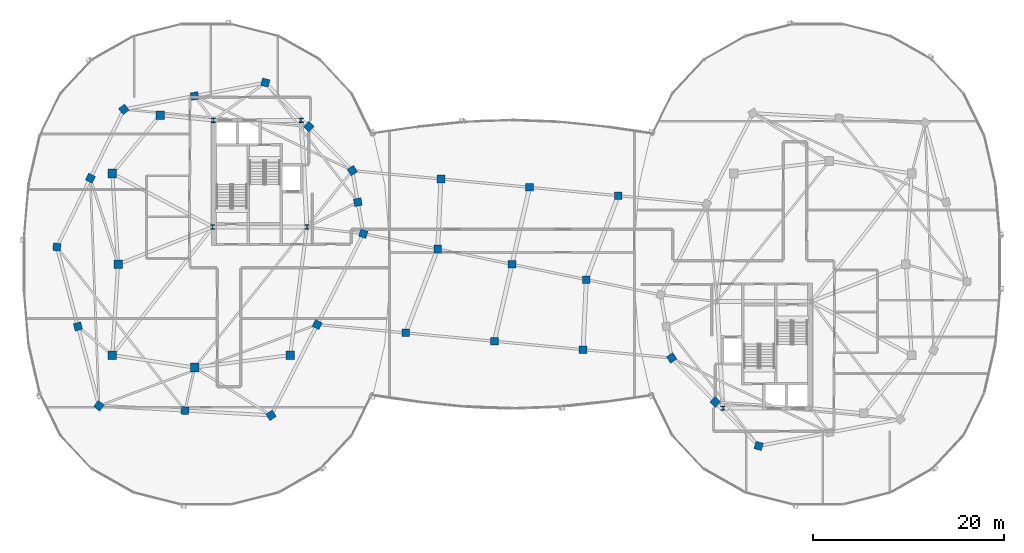
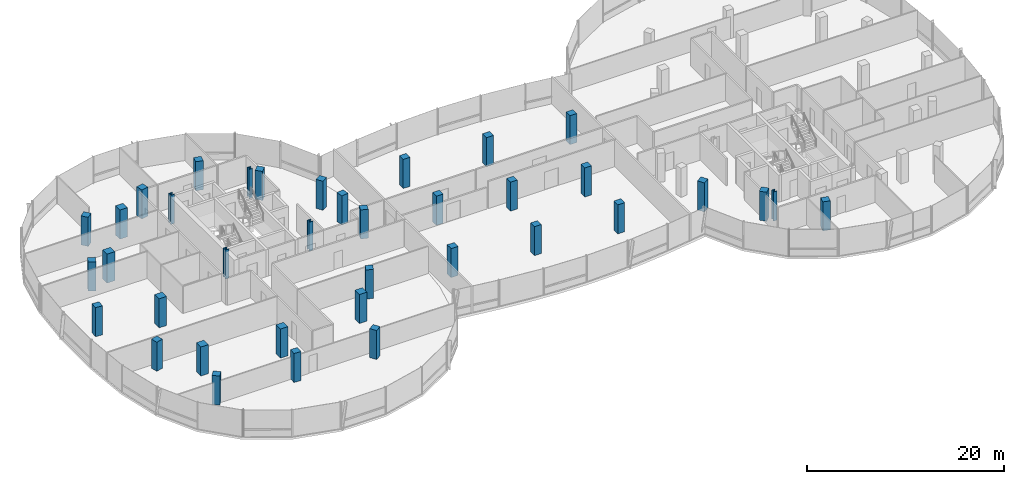
# One storey, part 1 of 26: 37 columns.
"""IFC4 building model written with IfcOpenShell, lengths in metres."""

from ifc_helpers import new_model, si_unit, direction, frame, origin, origin_2d, place, context, subcontext, project, spatial, rectangle, i_section, extrude, material, material_profile, profile_set, type_object, element, save


model = new_model("IFC4")

# Units and contexts
model_context = context("Model", 3, precision=1e-05, world=origin(), true_north=direction((0.0, 1.0)))
body_context = subcontext(model_context, "Body", "Model", "MODEL_VIEW")
ifc_project = project(units=[si_unit("LENGTHUNIT", "METRE"), si_unit("AREAUNIT", "SQUARE_METRE"), si_unit("VOLUMEUNIT", "CUBIC_METRE"), si_unit("PLANEANGLEUNIT", "RADIAN"), si_unit("MASSUNIT", "GRAM", prefix="KILO"), si_unit("THERMODYNAMICTEMPERATUREUNIT", "KELVIN"), si_unit("POWERUNIT", "WATT")], contexts=[model_context])

# Site, building, storey
site_placement = place(None, origin())
site = spatial("IfcSite", under=ifc_project, at=site_placement, CompositionType="ELEMENT")
building_placement = place(site_placement, origin())
building = spatial("IfcBuilding", under=site, at=building_placement, Name="Cundina Bronze Exchange", CompositionType="ELEMENT")
storey_placement = place(building_placement, frame((0.0, 0.0, 261.199951171875)))
storey = spatial("IfcBuildingStorey", under=building, at=storey_placement, Name="L69", CompositionType="ELEMENT", Elevation=261.199951171875)

# Columns
ifc_material_1 = material(Name="Concrete C50/60", Category="concrete")
ifc_material_profile_1 = material_profile(ifc_material_1, rectangle(XDim=0.800048828125, YDim=0.800048828125, at=origin_2d()), Name="RC800X800", Category="concrete")
ifc_profile_set_1 = profile_set([ifc_material_profile_1], Name="Concrete C50/60")
column_type_1 = type_object("IfcColumnType", Name="COL-BRG-800", PredefinedType="COLUMN", material=ifc_profile_set_1)
for number, where, z_axis, x_axis, name in (
    (1, (-15.550048828125, 3.199951171875, 0.0), (0.0, 0.0, 1.0), (0.315152163383, 0.949041155016, 0.0), "L69 W Perimeter Column 00"),
    (2, (-16.125, 6.5, 0.0), (0.0, 0.0, 1.0), (-0.171585221787, 0.985169280715, 0.0), "L69 W Perimeter Column 01"),
    (3, (-16.699951171875, 9.800048828125, 0.0), (0.0, 0.0, 1.0), (-0.544199833495, 0.838955625301, 0.0), "L69 W Perimeter Column 02"),
    (4, (-21.25, 14.39990234375, 0.0), (0.0, 0.0, 1.0), (-0.703270634186, 0.710922228581, 0.0), "L69 W Perimeter Column 03"),
    (5, (-25.800048828125, 19.0, 0.0), (0.0, 0.0, 1.0), (-0.965970984022, 0.258650455301, 0.0), "L69 W Perimeter Column 04"),
    (6, (-33.199951171875, 17.60009765625, 0.0), (0.0, 0.0, 1.0), (-0.98258037664, -0.185838110843, 0.0), "L69 W Perimeter Column 05"),
    (7, (-40.60009765625, 16.199951171875, 0.0), (0.0, 0.0, 1.0), (-0.785100778485, -0.619368038909, 0.0), "L69 W Perimeter Column 06"),
    (8, (-44.10009765625, 9.0, 0.0), (0.0, 0.0, 1.0), (-0.437115766651, -0.899405251566, 0.0), "L69 W Perimeter Column 07"),
    (9, (-47.60009765625, 1.800048828125, 0.0), (0.0, 0.0, 1.0), (-0.083503921245, -0.996507448611, 0.0), "L69 W Perimeter Column 08"),
    (10, (-45.39990234375, -6.5, 0.0), (0.0, 0.0, 1.0), (0.256289373133, -0.966600102017, 0.0), "L69 W Perimeter Column 09"),
    (11, (-43.199951171875, -14.800048828125, 0.0), (0.0, 0.0, 1.0), (0.786288432137, -0.61785961309, 0.0), "L69 W Perimeter Column 10"),
    (12, (-34.199951171875, -15.300048828125, 0.0), (0.0, 0.0, 1.0), (0.998460188734, -0.055472980025, 0.0), "L69 W Perimeter Column 11"),
    (13, (-25.199951171875, -15.800048828125, 0.0), (0.0, 0.0, 1.0), (0.838099763533, 0.545516989988, 0.0), "L69 W Perimeter Column 12"),
    (14, (-20.375, -6.300048828125, 0.0), (0.0, 0.0, 1.0), (0.452901591366, 0.891560513111, 0.0), "L69 W Perimeter Column 13"),
    (15, (16.699951171875, -9.800048828125, 0.0), (0.0, 0.0, 1.0), (0.544199833495, -0.838955625301, 0.0), "L69 E Perimeter Column 02"),
    (16, (21.25, -14.39990234375, 0.0), (0.0, 0.0, 1.0), (0.703270634186, -0.710922228581, 0.0), "L69 E Perimeter Column 03"),
    (17, (25.800048828125, -19.0, 0.0), (0.0, 0.0, 1.0), (0.965970984022, -0.258650455301, 0.0), "L69 E Perimeter Column 04"),
    (18, (-11.106201171875, -7.175048828125, 0.0), (0.0, 0.0, 1.0), (1.0, 0.0, 0.0), "L69 Sky-Gate Bridge Column Y1-X1"),
    (19, (-1.83740234375, -8.050048828125, 0.0), (0.0, 0.0, 1.0), (1.0, 0.0, 0.0), "L69 Sky-Gate Bridge Column Y1-X2"),
    (20, (7.431396484375, -8.925048828125, 0.0), (0.0, 0.0, 1.0), (1.0, 0.0, 0.0), "L69 Sky-Gate Bridge Column Y1-X3"),
    (21, (-7.77490234375, 1.60009765625, 0.0), (0.0, 0.0, 1.0), (1.0, 0.0, 0.0), "L69 Sky-Gate Bridge Column Y2-X1"),
    (22, (0.0, 0.0, 0.0), (0.0, 0.0, 1.0), (1.0, 0.0, 0.0), "L69 Sky-Gate Bridge Column Y2-X2"),
    (23, (7.77490234375, -1.60009765625, 0.0), (0.0, 0.0, 1.0), (1.0, 0.0, 0.0), "L69 Sky-Gate Bridge Column Y2-X3"),
    (24, (-7.43115234375, 8.925048828125, 0.0), (0.0, 0.0, 1.0), (1.0, 0.0, 0.0), "L69 Sky-Gate Bridge Column Y3-X1"),
    (25, (1.83740234375, 8.050048828125, 0.0), (0.0, 0.0, 1.0), (1.0, 0.0, 0.0), "L69 Sky-Gate Bridge Column Y3-X2"),
    (26, (11.106201171875, 7.175048828125, 0.0), (0.0, 0.0, 1.0), (1.0, 0.0, 0.0), "L69 Sky-Gate Bridge Column Y3-X3"),
):
    element("IfcColumn", number, at=place(storey_placement, frame(where, z_axis=z_axis, x_axis=x_axis)), inside=storey, type_object=column_type_1, Name=name, PredefinedType="COLUMN", context=body_context, shape_type="SweptSolid", body=[
        extrude(rectangle(XDim=0.800048828125, YDim=0.800048828125, at=origin_2d()), origin(), (0.0, 0.0, 1.0), 3.60009765625),
    ])
ifc_material_2 = material(Name="Steel ASTM A992 Grade 50", Category="steel")
ifc_material_profile_2 = material_profile(ifc_material_2, i_section(OverallWidth=0.416015625, OverallDepth=0.446044921875, WebThickness=0.0390625, FlangeThickness=0.062744140625, FilletRadius=0.01806640625, at=origin_2d()), Name="W14X342", Category="steel")
ifc_profile_set_2 = profile_set([ifc_material_profile_2], Name="Steel ASTM A992 Grade 50")
column_type_2 = type_object("IfcColumnType", Name="COL-STL-W14B", PredefinedType="COLUMN", material=ifc_profile_set_2)
for number, where, z_axis, x_axis, name in (
    (27, (-31.300048828125, 3.89990234375, 0.0), (0.0, 0.0, 1.0), (1.0, 0.0, 0.0), "L69 Core Anchor Column W1"),
    (28, (-21.449951171875, 3.89990234375, 0.0), (0.0, 0.0, 1.0), (1.0, 0.0, 0.0), "L69 Core Anchor Column W2"),
    (29, (-22.050048828125, 15.050048828125, 0.0), (0.0, 0.0, 1.0), (1.0, 0.0, 0.0), "L69 Core Anchor Column W3"),
    (30, (-31.25, 15.050048828125, 0.0), (0.0, 0.0, 1.0), (1.0, 0.0, 0.0), "L69 Core Anchor Column W4"),
    (31, (22.050048828125, -15.050048828125, 0.0), (0.0, 0.0, 1.0), (1.0, 0.0, 0.0), "L69 Core Anchor Column E3"),
):
    element("IfcColumn", number, at=place(storey_placement, frame(where, z_axis=z_axis, x_axis=x_axis)), inside=storey, type_object=column_type_2, Name=name, PredefinedType="COLUMN", context=body_context, shape_type="SweptSolid", body=[
        extrude(i_section(OverallWidth=0.416015625, OverallDepth=0.446044921875, WebThickness=0.0390625, FlangeThickness=0.062744140625, FilletRadius=0.01806640625, at=origin_2d()), origin(), (0.0, 0.0, 1.0), 3.60009765625),
    ])
ifc_material_profile_3 = material_profile(ifc_material_1, rectangle(XDim=0.89990234375, YDim=0.89990234375, at=origin_2d()), Name="RC900X900", Category="concrete")
ifc_profile_set_3 = profile_set([ifc_material_profile_3], Name="Concrete C50/60")
column_type_3 = type_object("IfcColumnType", Name="COL-Z4-900", PredefinedType="COLUMN", material=ifc_profile_set_3)
for number, where, z_axis, x_axis, name in (
    (32, (-41.199951171875, 0.0, 0.0), (0.0, 0.0, 1.0), (1.0, 0.0, 0.0), "L69 W Inner Ring Column 1"),
    (33, (-41.800048828125, 9.5, 0.0), (0.0, 0.0, 1.0), (1.0, 0.0, 0.0), "L69 W Inner Ring Column 2"),
    (34, (-36.800048828125, 15.60009765625, 0.0), (0.0, 0.0, 1.0), (1.0, 0.0, 0.0), "L69 W Inner Ring Column 3"),
    (35, (-41.800048828125, -9.5, 0.0), (0.0, 0.0, 1.0), (1.0, 0.0, 0.0), "L69 W Inner Ring Column 4"),
    (36, (-33.199951171875, -10.800048828125, 0.0), (0.0, 0.0, 1.0), (1.0, 0.0, 0.0), "L69 W Inner Ring Column 5"),
    (37, (-23.199951171875, -9.5, 0.0), (0.0, 0.0, 1.0), (1.0, 0.0, 0.0), "L69 W Inner Ring Column 6"),
):
    element("IfcColumn", number, at=place(storey_placement, frame(where, z_axis=z_axis, x_axis=x_axis)), inside=storey, type_object=column_type_3, Name=name, PredefinedType="COLUMN", context=body_context, shape_type="SweptSolid", body=[
        extrude(rectangle(XDim=0.89990234375, YDim=0.89990234375, at=origin_2d()), origin(), (0.0, 0.0, 1.0), 3.60009765625),
    ])

save(model, "model.ifc")
